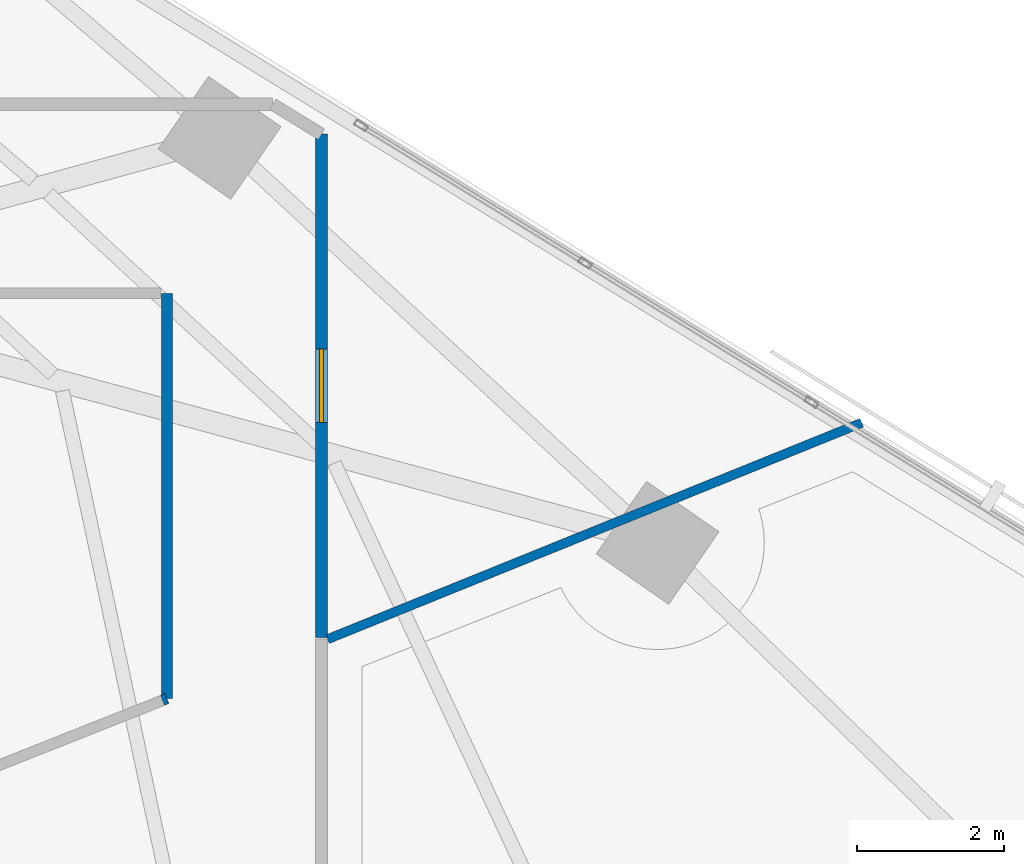
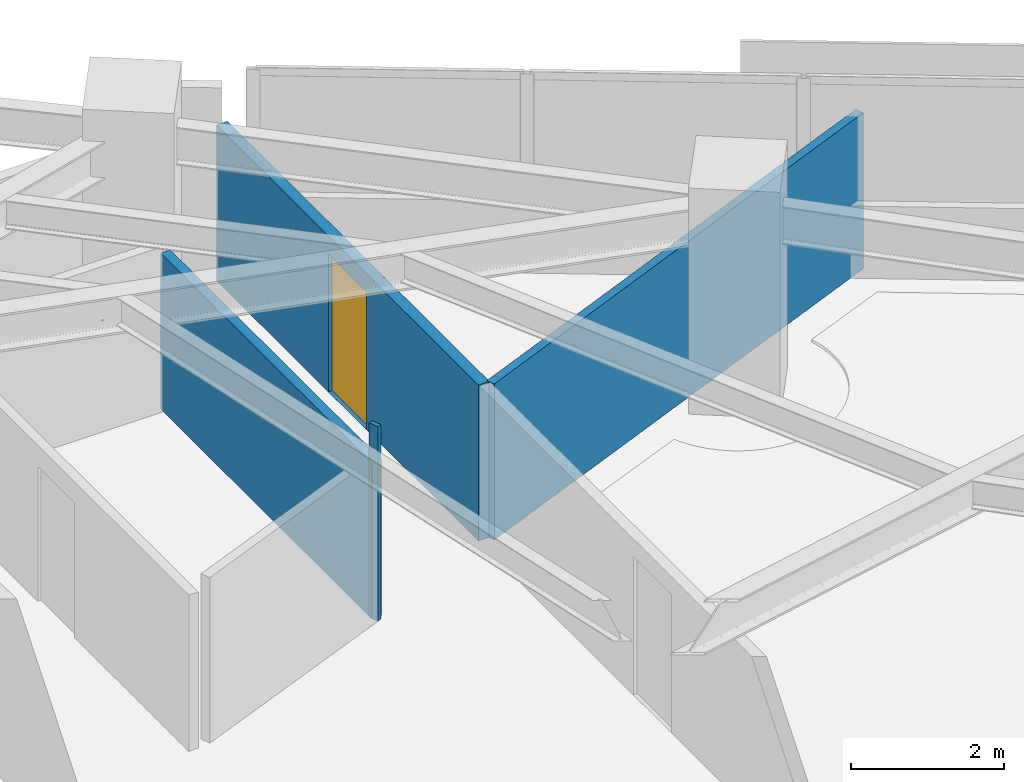
# One storey, part 17 of 20: 4 walls, 1 door, 1 opening.
"""IFC4 building model written with IfcOpenShell, lengths in metres."""

from ifc_helpers import new_model, si_unit, direction, frame, frame_2d, origin, place, context, subcontext, project, spatial, rectangle, extrude, material, layer, layer_set, type_object, element, fill, save


model = new_model("IFC4")

# Units and contexts
model_context = context("Model", 3, precision=1e-05, world=origin(), true_north=direction((0.0, 1.0)))
body_context = subcontext(model_context, "Body", "Model", "MODEL_VIEW")
ifc_project = project(units=[si_unit("LENGTHUNIT", "METRE"), si_unit("AREAUNIT", "SQUARE_METRE"), si_unit("VOLUMEUNIT", "CUBIC_METRE"), si_unit("PLANEANGLEUNIT", "RADIAN"), si_unit("MASSUNIT", "GRAM", prefix="KILO")], contexts=[model_context])

# Site, building, storey
site_placement = place(None, origin())
site = spatial("IfcSite", under=ifc_project, at=site_placement, CompositionType="ELEMENT")
building_placement = place(site_placement, origin())
building = spatial("IfcBuilding", under=site, at=building_placement, Name="Narakoshi Arena Tower", CompositionType="ELEMENT")
storey_placement = place(building_placement, frame((0.0, 0.0, 124.5)))
storey = spatial("IfcBuildingStorey", under=building, at=storey_placement, Name="L33", CompositionType="ELEMENT", Elevation=124.5)

# Wall, opening, door
ifc_material_1 = material(Name="Gypsum plasterboard fire-rated partition")
ifc_layer_1 = layer(ifc_material_1, 0.1650390625)
ifc_layer_set_1 = layer_set([ifc_layer_1], Name="Gypsum plasterboard fire-rated partition")
wall_type_1 = type_object("IfcWallType", Name="WL-CORR-165", PredefinedType="PARTITIONING", material=ifc_layer_set_1)
wall_1_placement = place(storey_placement, frame((94.07373046875, 51.675537109375, 0.0), z_axis=(0.0, 0.0, 1.0), x_axis=(0.0, 1.0, 0.0)))
wall_1 = element("IfcWall", 1, at=wall_1_placement, inside=storey, type_object=wall_type_1, Name="L33 Corridor Partition 05-2", PredefinedType="PARTITIONING", context=body_context, shape_type="SweptSolid", body=[
    extrude(rectangle(XDim=6.83642578125, YDim=0.1650390625, at=frame_2d((3.418212890625, 0.0))), origin(), (0.0, 0.0, 1.0), 2.485107421875),
])
opening_placement = place(wall_1_placement, frame((2.918212890625, 0.0, 0.0)))
opening = element("IfcOpeningElement", 2, at=opening_placement, cuts=wall_1, Name="Opening D-06", PredefinedType="OPENING", context=body_context, shape_type="SweptSolid", body=[
    extrude(rectangle(XDim=1.0, YDim=2.199951171875, at=frame_2d((0.5, 1.10009765625))), frame((0.0, 0.092529296875, 0.0), z_axis=(0.0, -1.0, 0.0), x_axis=(1.0, 0.0, 0.0)), (0.0, 0.0, 1.0), 0.18505859375),
])
ifc_material_2 = material(Name="Stained oak solid-core timber", Category="wood")
door_type = type_object("IfcDoorType", Name="DR-OFF-1000", OperationType="NOTDEFINED", PredefinedType="DOOR", material=ifc_material_2)
door_placement = place(opening_placement, frame((1.0, 0.0, 0.0), z_axis=(0.0, 0.0, 1.0), x_axis=(-1.0, 0.0, 0.0)))
door = element("IfcDoor", 3, at=door_placement, inside=storey, type_object=door_type, Name="DR-L33-018", OperationType="SINGLE_SWING_LEFT", OverallHeight=2.199951171875, OverallWidth=1.0, PredefinedType="DOOR", context=body_context, shape_type="SweptSolid", body=[
    extrude(rectangle(XDim=1.0, YDim=2.199951171875, at=frame_2d((0.5, 1.10009765625))), frame((0.0, 0.02490234375, 0.0), z_axis=(0.0, -1.0, 0.0), x_axis=(1.0, 0.0, 0.0)), (0.0, 0.0, 1.0), 0.050048828125),
])
fill(opening, door)

# Walls
ifc_layer_2 = layer(ifc_material_1, 0.125)
ifc_layer_set_2 = layer_set([ifc_layer_2], Name="Gypsum plasterboard fire-rated partition")
wall_type_2 = type_object("IfcWallType", Name="WL-PART-125", PredefinedType="PARTITIONING", material=ifc_layer_set_2)
wall_2_placement = place(storey_placement, frame((94.157958984375, 51.64990234375, 0.0), z_axis=(0.0, 0.0, 1.0), x_axis=(0.926848670932, 0.375435135797, 0.0)))
element("IfcWall", 4, at=wall_2_placement, inside=storey, type_object=wall_type_2, Name="L33 Inter-Room Partition 03-05", PredefinedType="PARTITIONING", context=body_context, shape_type="SweptSolid", body=[
    extrude(rectangle(XDim=7.830078125, YDim=0.125, at=frame_2d((3.9150390625, 0.0))), origin(), (0.0, 0.0, 1.0), 2.485107421875),
])
ifc_material_3 = material(Name="Moisture-resistant cement-board partition")
ifc_layer_3 = layer(ifc_material_3, 0.14501953125)
ifc_layer_set_3 = layer_set([ifc_layer_3], Name="Moisture-resistant cement-board partition")
wall_type_3 = type_object("IfcWallType", Name="WL-WET-145", PredefinedType="PARTITIONING", material=ifc_layer_set_3)
wall_3_placement = place(storey_placement, frame((91.9736328125, 56.35009765625, 0.0), z_axis=(0.0, 0.0, 1.0), x_axis=(0.0, -1.0, 0.0)))
element("IfcWall", 5, at=wall_3_placement, inside=storey, type_object=wall_type_3, Name="L33 Corridor Partition 04-2", PredefinedType="PARTITIONING", context=body_context, shape_type="SweptSolid", body=[
    extrude(rectangle(XDim=5.508056640625, YDim=0.14501953125, at=frame_2d((2.75390625, 0.0))), origin(), (0.0, 0.0, 1.0), 2.485107421875),
])
wall_4_placement = place(storey_placement, frame((91.9736328125, 50.842041015625, 0.0), z_axis=(0.0, 0.0, 1.0), x_axis=(-0.929779554141, -0.368116803068, 0.0)))
element("IfcWall", 6, at=wall_4_placement, inside=storey, type_object=wall_type_3, Name="L33 Corridor Partition 04-4", PredefinedType="PARTITIONING", context=body_context, shape_type="SweptSolid", body=[
    extrude(rectangle(XDim=0.064453125, YDim=0.14501953125, at=frame_2d((0.0322265625, 0.0))), origin(), (0.0, 0.0, 1.0), 3.10009765625),
])

save(model, "model.ifc")
